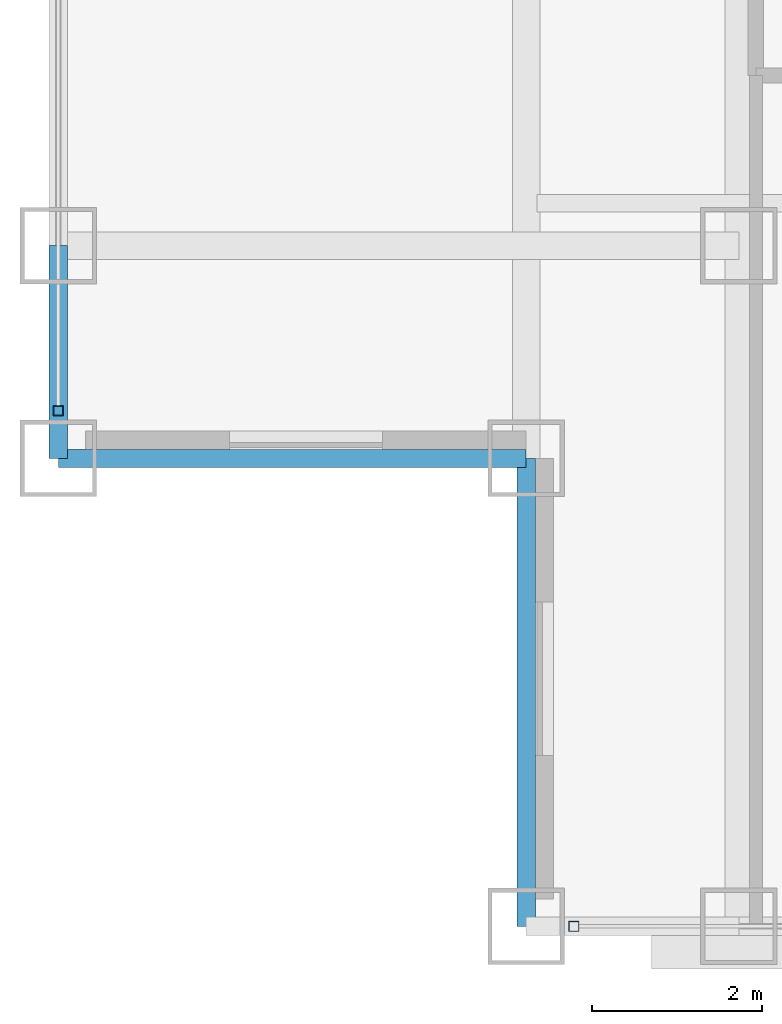
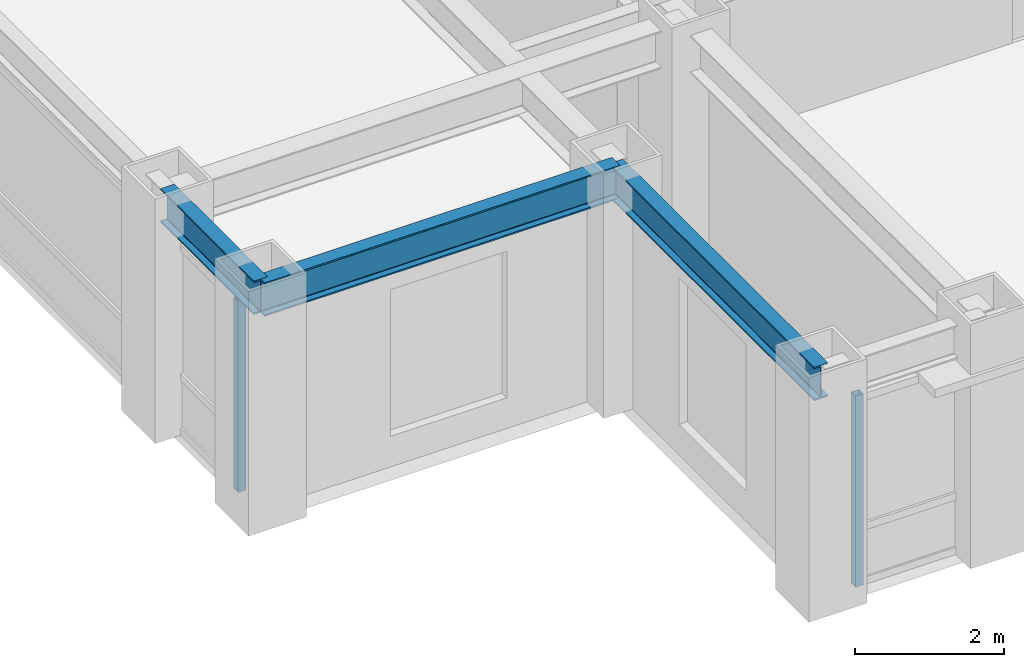
# One storey, part 2 of 27: 3 beams, 2 members, 2 elements without a shape of their own.
"""IFC4 building model written with IfcOpenShell, lengths in metres."""

from ifc_helpers import new_model, si_unit, direction, frame, origin, origin_2d, place, context, subcontext, project, spatial, hollow_rectangle, i_section, extrude, source, transform, mapped, material, material_profile, profile_set, type_object, element, aggregate, save


model = new_model("IFC4")

# Units and contexts
model_context = context("Model", 3, precision=1e-05, world=origin(), true_north=direction((0.0, 1.0)))
body_context = subcontext(model_context, "Body", "Model", "MODEL_VIEW")
ifc_project = project(units=[si_unit("LENGTHUNIT", "METRE"), si_unit("AREAUNIT", "SQUARE_METRE"), si_unit("VOLUMEUNIT", "CUBIC_METRE"), si_unit("PLANEANGLEUNIT", "RADIAN"), si_unit("MASSUNIT", "GRAM", prefix="KILO")], contexts=[model_context])

# Site, building, storey
site_placement = place(None, origin())
site = spatial("IfcSite", under=ifc_project, at=site_placement, CompositionType="ELEMENT")
building_placement = place(site_placement, origin())
building = spatial("IfcBuilding", under=site, at=building_placement, Name="Khorayat Bourse Tower", CompositionType="ELEMENT")
storey_placement = place(building_placement, frame((0.0, 0.0, 317.5)))
storey = spatial("IfcBuildingStorey", under=building, at=storey_placement, Name="L75", CompositionType="ELEMENT", Elevation=317.5)

# Beams
ifc_material_1 = material(Name="Steel ASTM A992 Grade 50", Category="steel")
ifc_material_profile_1 = material_profile(ifc_material_1, i_section(OverallWidth=0.214111328125, OverallDepth=0.549072265625, WebThickness=0.0146484375, FlangeThickness=0.023681640625, FilletRadius=0.013916015625, at=origin_2d()), Name="W530X138")
ifc_profile_set_1 = profile_set([ifc_material_profile_1], Name="Steel ASTM A992 Grade 50")
beam_type = type_object("IfcBeamType", Name="BM-SPAN-530", PredefinedType="SPANDREL", material=ifc_profile_set_1)
shared_shape_1 = source(origin(), body_context, "Body", "SweptSolid", [
    extrude(i_section(OverallWidth=0.214111328125, OverallDepth=0.549072265625, WebThickness=0.0146484375, FlangeThickness=0.023681640625, FilletRadius=0.013916015625, at=origin_2d()), origin(), (0.0, 0.0, 1.0), 2.5),
])
beam_placement = place(storey_placement, frame((-28.0, -22.5, 3.505615234375), z_axis=(0.0, 1.0, 0.0), x_axis=(-1.0, 0.0, 0.0)))
element("IfcBeam", 1, at=beam_placement, inside=storey, type_object=beam_type, Name="L75 BM-SPAN-530 BM-L75-SPN-061", PredefinedType="SPANDREL", context=body_context, shape_type="MappedRepresentation", body=[
    mapped(shared_shape_1, transform((0.0, 0.0, 0.0), scale=1.0)),
])
shared_shape_2 = source(origin(), body_context, "Body", "SweptSolid", [
    extrude(i_section(OverallWidth=0.214111328125, OverallDepth=0.549072265625, WebThickness=0.0146484375, FlangeThickness=0.023681640625, FilletRadius=0.013916015625, at=origin_2d()), origin(), (0.0, 0.0, 1.0), 5.5),
])
for number, where, z_axis, x_axis, name in (
    (2, (-28.0, -22.5, 3.505615234375), (1.0, 0.0, 0.0), (0.0, 1.0, 0.0), "L75 BM-SPAN-530 BM-L75-SPN-062"),
    (3, (-22.5, -28.0, 3.505615234375), (0.0, 1.0, 0.0), (-1.0, 0.0, 0.0), "L75 BM-SPAN-530 BM-L75-SPN-063"),
):
    element("IfcBeam", number, at=place(storey_placement, frame(where, z_axis=z_axis, x_axis=x_axis)), inside=storey, type_object=beam_type, Name=name, PredefinedType="SPANDREL", context=body_context, shape_type="MappedRepresentation", body=[
        mapped(shared_shape_2, transform((0.0, 0.0, 0.0), scale=1.0)),
    ])

# Curtain wall, member
ifc_material_2 = material(Name="Aluminium EN AW-6063 T6", Category="aluminium")
curtain_wall_type = type_object("IfcCurtainWallType", Name="CW-SYS-04", PredefinedType="NOTDEFINED", material=ifc_material_2)
curtain_wall_1_placement = place(storey_placement, origin())
curtain_wall_1 = element("IfcCurtainWall", 4, at=curtain_wall_1_placement, inside=storey, type_object=curtain_wall_type, Name="L75 Curtain Wall CW-L75-S1", PredefinedType="NOTDEFINED")
ifc_material_profile_2 = material_profile(ifc_material_2, hollow_rectangle(XDim=0.1201171875, YDim=0.1201171875, WallThickness=0.0048828125, at=origin_2d()), Name="ALU 120x120x5")
ifc_profile_set_2 = profile_set([ifc_material_profile_2], Name="Aluminium EN AW-6063 T6")
member_type = type_object("IfcMemberType", Name="CWM-VERT-120", PredefinedType="MULLION", material=ifc_profile_set_2)
shared_shape_3 = source(origin(), body_context, "Body", "SweptSolid", [
    extrude(hollow_rectangle(XDim=0.1201171875, YDim=0.1201171875, WallThickness=0.0048828125, at=origin_2d()), origin(), (0.0, 0.0, 1.0), 3.1298828125),
])
member_1_placement = place(storey_placement, frame((-21.93994140625, -28.0, 0.0), z_axis=(0.0, 0.0, 1.0), x_axis=(0.0, 1.0, 0.0)))
member_1 = element("IfcMember", 5, at=member_1_placement, type_object=member_type, Name="CW-L75-S1 Vertical Mullion 1", PredefinedType="MULLION", context=body_context, shape_type="MappedRepresentation", body=[
    mapped(shared_shape_3, transform((0.0, 0.0, 0.0), scale=1.0)),
])
aggregate(curtain_wall_1, [member_1])

curtain_wall_2_placement = place(storey_placement, origin())
curtain_wall_2 = element("IfcCurtainWall", 6, at=curtain_wall_2_placement, inside=storey, type_object=curtain_wall_type, Name="L75 Curtain Wall CW-L75-W1", PredefinedType="NOTDEFINED")
member_2_placement = place(storey_placement, frame((-28.0, -21.93994140625, 0.0), z_axis=(0.0, 0.0, 1.0), x_axis=(-1.0, 0.0, 0.0)))
member_2 = element("IfcMember", 7, at=member_2_placement, type_object=member_type, Name="CW-L75-W1 Vertical Mullion 1", PredefinedType="MULLION", context=body_context, shape_type="MappedRepresentation", body=[
    mapped(shared_shape_3, transform((0.0, 0.0, 0.0), scale=1.0)),
])
aggregate(curtain_wall_2, [member_2])

save(model, "model.ifc")
